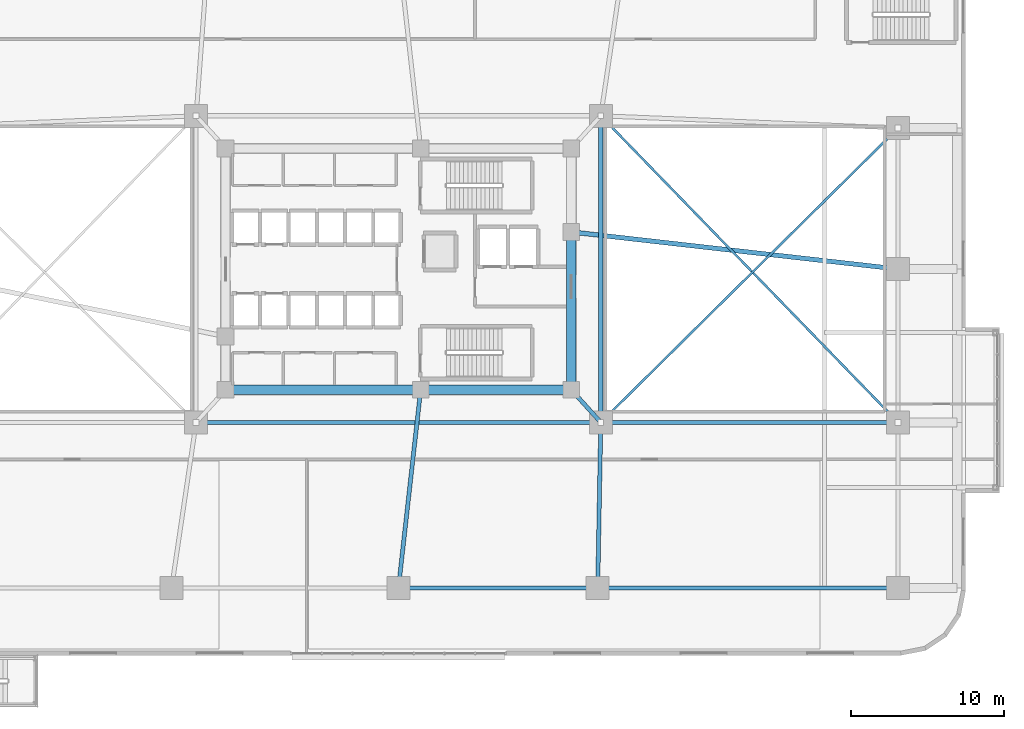
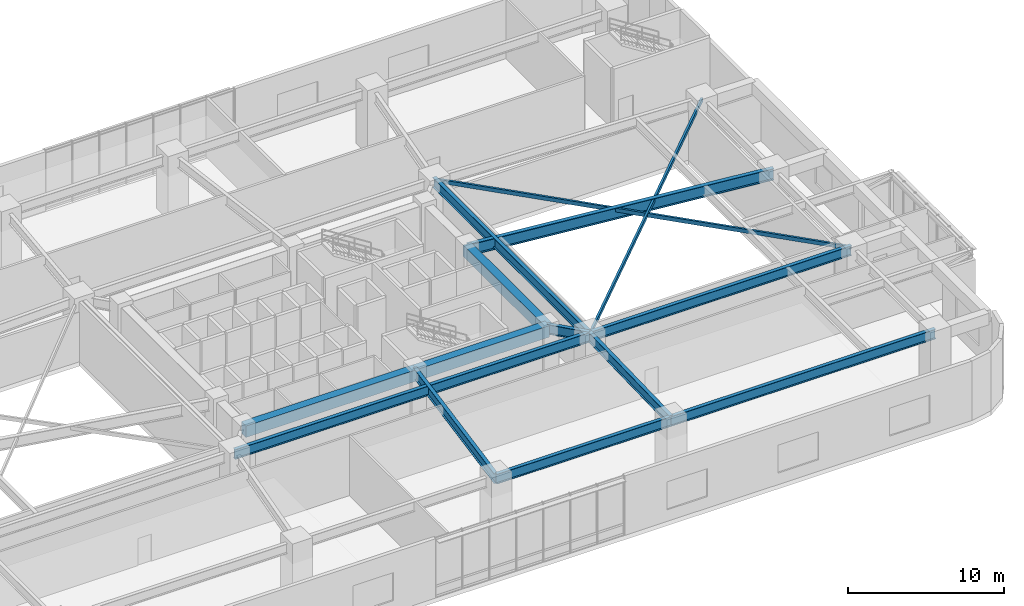
# One storey, part 4 of 24: 12 beams, 2 members.
"""IFC4 building model written with IfcOpenShell, lengths in metres."""

from ifc_helpers import new_model, si_unit, direction, frame, origin, origin_2d, place, context, subcontext, project, spatial, rectangle, hollow_rectangle, i_section, extrude, material, material_profile, profile_set, type_object, element, save


model = new_model("IFC4")

# Units and contexts
model_context = context("Model", 3, precision=1e-05, world=origin(), true_north=direction((0.0, 1.0)))
body_context = subcontext(model_context, "Body", "Model", "MODEL_VIEW")
ifc_project = project(units=[si_unit("LENGTHUNIT", "METRE"), si_unit("AREAUNIT", "SQUARE_METRE"), si_unit("VOLUMEUNIT", "CUBIC_METRE"), si_unit("PLANEANGLEUNIT", "RADIAN"), si_unit("MASSUNIT", "GRAM", prefix="KILO")], contexts=[model_context])

# Site, building, storey
site_placement = place(None, origin())
site = spatial("IfcSite", under=ifc_project, at=site_placement, CompositionType="ELEMENT")
building_placement = place(site_placement, origin())
building = spatial("IfcBuilding", under=site, at=building_placement, Name="Zulverin Broadcast Headquarters", CompositionType="ELEMENT")
storey_placement = place(building_placement, frame((0.0, 0.0, 5.0)))
storey = spatial("IfcBuildingStorey", under=building, at=storey_placement, Name="L01", CompositionType="ELEMENT", Elevation=5.0)

# Beams
ifc_material_1 = material(Name="Concrete C60/75", Category="concrete")
ifc_material_profile_1 = material_profile(ifc_material_1, rectangle(XDim=0.60009765625, YDim=0.89990234375, at=origin_2d()), Name="Concrete C60/75", Category="concrete")
ifc_profile_set_1 = profile_set([ifc_material_profile_1], Name="Concrete C60/75")
beam_type_1 = type_object("IfcBeamType", Name="BM-CB-600x900", PredefinedType="LINTEL", material=ifc_profile_set_1)
beam_1_placement = place(storey_placement, frame((25.72509765625, 17.324951171875, 4.2099609375), z_axis=(1.0, 0.0, 0.0), x_axis=(0.0, 1.0, 0.0)))
element("IfcBeam", 1, at=beam_1_placement, inside=storey, type_object=beam_type_1, Name="L01 Core Coupling Girder K01-K02", PredefinedType="LINTEL", context=body_context, shape_type="SweptSolid", body=[
    extrude(rectangle(XDim=0.60009765625, YDim=0.89990234375, at=origin_2d()), origin(), (0.0, 0.0, 1.0), 12.724853515625),
])
beam_2_placement = place(storey_placement, frame((38.449951171875, 17.324951171875, 4.2099609375), z_axis=(1.0, 0.0, 0.0), x_axis=(0.0, 1.0, 0.0)))
element("IfcBeam", 2, at=beam_2_placement, inside=storey, type_object=beam_type_1, Name="L01 Core Coupling Girder K02-K03", PredefinedType="LINTEL", context=body_context, shape_type="SweptSolid", body=[
    extrude(rectangle(XDim=0.60009765625, YDim=0.89990234375, at=origin_2d()), origin(), (0.0, 0.0, 1.0), 9.824951171875),
])
beam_3_placement = place(storey_placement, frame((48.27490234375, 17.324951171875, 4.2099609375), z_axis=(0.0, 1.0, 0.0), x_axis=(-1.0, 0.0, 0.0)))
element("IfcBeam", 3, at=beam_3_placement, inside=storey, type_object=beam_type_1, Name="L01 Core Coupling Girder K03-K04", PredefinedType="LINTEL", context=body_context, shape_type="SweptSolid", body=[
    extrude(rectangle(XDim=0.60009765625, YDim=0.89990234375, at=origin_2d()), origin(), (0.0, 0.0, 1.0), 10.295166015625),
])
ifc_material_2 = material(Name="Structural steel S460M", Category="steel")
ifc_material_profile_2 = material_profile(ifc_material_2, i_section(OverallWidth=0.300048828125, OverallDepth=0.89990234375, WebThickness=0.0185546875, FlangeThickness=0.034912109375, at=origin_2d()), Name="Structural steel S460M", Category="steel")
ifc_profile_set_2 = profile_set([ifc_material_profile_2], Name="Structural steel S460M")
beam_type_2 = type_object("IfcBeamType", Name="BM-HEB-900", PredefinedType="BEAM", material=ifc_profile_set_2)
beam_4_placement = place(storey_placement, frame((69.60009765625, 25.199951171875, 4.2099609375), z_axis=(-0.993621718585, 0.112764712373, 0.0), x_axis=(-0.112764712373, -0.993621718585, 0.0)))
element("IfcBeam", 4, at=beam_4_placement, inside=storey, type_object=beam_type_2, Name="L01 Long-Span Studio Girder P15-K04", PredefinedType="BEAM", context=body_context, shape_type="SweptSolid", body=[
    extrude(i_section(OverallWidth=0.300048828125, OverallDepth=0.89990234375, WebThickness=0.0185546875, FlangeThickness=0.034912109375, at=origin_2d()), origin(), (0.0, 0.0, 1.0), 21.462158203125),
])
ifc_material_3 = material(Name="Structural steel S355JR", Category="steel")
ifc_material_profile_3 = material_profile(ifc_material_3, i_section(OverallWidth=0.26806640625, OverallDepth=0.769775390625, WebThickness=0.015625, FlangeThickness=0.025390625, at=origin_2d()), Name="Structural steel S355JR", Category="steel")
ifc_profile_set_3 = profile_set([ifc_material_profile_3], Name="Structural steel S355JR")
beam_type_3 = type_object("IfcBeamType", Name="BM-UB-762", PredefinedType="BEAM", material=ifc_profile_set_3)
beam_5_placement = place(storey_placement, frame((37.0, 4.39990234375, 4.275146484375), z_axis=(1.0, 0.0, 0.0), x_axis=(0.0, 1.0, 0.0)))
element("IfcBeam", 5, at=beam_5_placement, inside=storey, type_object=beam_type_3, Name="L01 Podium Primary Girder P03-P04", PredefinedType="BEAM", context=body_context, shape_type="SweptSolid", body=[
    extrude(i_section(OverallWidth=0.26806640625, OverallDepth=0.769775390625, WebThickness=0.015625, FlangeThickness=0.025390625, at=origin_2d()), origin(), (0.0, 0.0, 1.0), 13.0),
])
beam_6_placement = place(storey_placement, frame((50.0, 4.39990234375, 4.275146484375), z_axis=(1.0, 0.0, 0.0), x_axis=(0.0, 1.0, 0.0)))
element("IfcBeam", 6, at=beam_6_placement, inside=storey, type_object=beam_type_3, Name="L01 Podium Primary Girder P04-P05", PredefinedType="BEAM", context=body_context, shape_type="SweptSolid", body=[
    extrude(i_section(OverallWidth=0.26806640625, OverallDepth=0.769775390625, WebThickness=0.015625, FlangeThickness=0.025390625, at=origin_2d()), origin(), (0.0, 0.0, 1.0), 19.60009765625),
])
beam_7_placement = place(storey_placement, frame((50.199951171875, 15.199951171875, 4.275146484375), z_axis=(-0.671379160881, 0.741114041383, 0.0), x_axis=(-0.741114041383, -0.671379160881, 0.0)))
element("IfcBeam", 7, at=beam_7_placement, inside=storey, type_object=beam_type_3, Name="L01 Podium Primary Girder M02-K03", PredefinedType="BEAM", context=body_context, shape_type="SweptSolid", body=[
    extrude(i_section(OverallWidth=0.26806640625, OverallDepth=0.769775390625, WebThickness=0.015625, FlangeThickness=0.025390625, at=origin_2d()), origin(), (0.0, 0.0, 1.0), 2.8671875),
])
beam_8_placement = place(storey_placement, frame((23.800048828125, 15.199951171875, 4.275146484375), z_axis=(1.0, 0.0, 0.0), x_axis=(0.0, 1.0, 0.0)))
element("IfcBeam", 8, at=beam_8_placement, inside=storey, type_object=beam_type_3, Name="L01 Podium Primary Girder M01-M02", PredefinedType="BEAM", context=body_context, shape_type="SweptSolid", body=[
    extrude(i_section(OverallWidth=0.26806640625, OverallDepth=0.769775390625, WebThickness=0.015625, FlangeThickness=0.025390625, at=origin_2d()), origin(), (0.0, 0.0, 1.0), 26.39990234375),
])
beam_9_placement = place(storey_placement, frame((50.199951171875, 15.199951171875, 4.275146484375), z_axis=(0.0, 1.0, 0.0), x_axis=(-1.0, 0.0, 0.0)))
element("IfcBeam", 9, at=beam_9_placement, inside=storey, type_object=beam_type_3, Name="L01 Podium Primary Girder M02-M03", PredefinedType="BEAM", context=body_context, shape_type="SweptSolid", body=[
    extrude(i_section(OverallWidth=0.26806640625, OverallDepth=0.769775390625, WebThickness=0.015625, FlangeThickness=0.025390625, at=origin_2d()), origin(), (0.0, 0.0, 1.0), 20.0),
])
beam_10_placement = place(storey_placement, frame((37.0, 4.39990234375, 4.275146484375), z_axis=(0.111482194079, 0.993766431514, 0.0), x_axis=(-0.993766431514, 0.111482194079, 0.0)))
element("IfcBeam", 10, at=beam_10_placement, inside=storey, type_object=beam_type_3, Name="L01 Podium Primary Girder P03-K02", PredefinedType="BEAM", context=body_context, shape_type="SweptSolid", body=[
    extrude(i_section(OverallWidth=0.26806640625, OverallDepth=0.769775390625, WebThickness=0.015625, FlangeThickness=0.025390625, at=origin_2d()), origin(), (0.0, 0.0, 1.0), 13.006103515625),
])
beam_11_placement = place(storey_placement, frame((50.0, 4.39990234375, 4.275146484375), z_axis=(0.018510741547, 0.999828661545, 0.0), x_axis=(-0.999828661545, 0.018510741547, 0.0)))
element("IfcBeam", 11, at=beam_11_placement, inside=storey, type_object=beam_type_3, Name="L01 Podium Primary Girder P04-M02", PredefinedType="BEAM", context=body_context, shape_type="SweptSolid", body=[
    extrude(i_section(OverallWidth=0.26806640625, OverallDepth=0.769775390625, WebThickness=0.015625, FlangeThickness=0.025390625, at=origin_2d()), origin(), (0.0, 0.0, 1.0), 10.802001953125),
])
beam_12_placement = place(storey_placement, frame((50.199951171875, 15.199951171875, 4.275146484375), z_axis=(1.0, 0.0, 0.0), x_axis=(0.0, 1.0, 0.0)))
element("IfcBeam", 12, at=beam_12_placement, inside=storey, type_object=beam_type_3, Name="L01 East Studio South Tie Girder", PredefinedType="BEAM", context=body_context, shape_type="SweptSolid", body=[
    extrude(i_section(OverallWidth=0.26806640625, OverallDepth=0.769775390625, WebThickness=0.015625, FlangeThickness=0.025390625, at=origin_2d()), origin(), (0.0, 0.0, 1.0), 19.400146484375),
])

# Members
ifc_material_profile_4 = material_profile(ifc_material_3, hollow_rectangle(XDim=0.14990234375, YDim=0.300048828125, WallThickness=0.012451171875, at=origin_2d()), Name="Structural steel S355JR", Category="steel")
ifc_profile_set_4 = profile_set([ifc_material_profile_4], Name="Structural steel S355JR")
member_type = type_object("IfcMemberType", Name="MBR-TMD-STRUT", PredefinedType="STRUT", material=ifc_profile_set_4)
member_1_placement = place(storey_placement, frame((69.60009765625, 15.199951171875, 4.409912109375), z_axis=(-0.696260638116, 0.717789052445, 0.0), x_axis=(-0.717789052445, -0.696260638116, 0.0)))
element("IfcMember", 13, at=member_1_placement, inside=storey, type_object=member_type, Name="L01 Studio Roof Lateral Strut STR-3", PredefinedType="STRUT", context=body_context, shape_type="SweptSolid", body=[
    extrude(hollow_rectangle(XDim=0.14990234375, YDim=0.300048828125, WallThickness=0.012451171875, at=origin_2d()), origin(), (0.0, 0.0, 1.0), 27.86328125),
])
member_2_placement = place(storey_placement, frame((69.60009765625, 34.39990234375, 4.409912109375), z_axis=(-0.71076455626, -0.703429986257, 0.0), x_axis=(0.703429986257, -0.71076455626, 0.0)))
element("IfcMember", 14, at=member_2_placement, inside=storey, type_object=member_type, Name="L01 Studio Roof Lateral Strut STR-4", PredefinedType="STRUT", context=body_context, shape_type="SweptSolid", body=[
    extrude(hollow_rectangle(XDim=0.14990234375, YDim=0.300048828125, WallThickness=0.012451171875, at=origin_2d()), origin(), (0.0, 0.0, 1.0), 27.294677734375),
])

save(model, "model.ifc")
